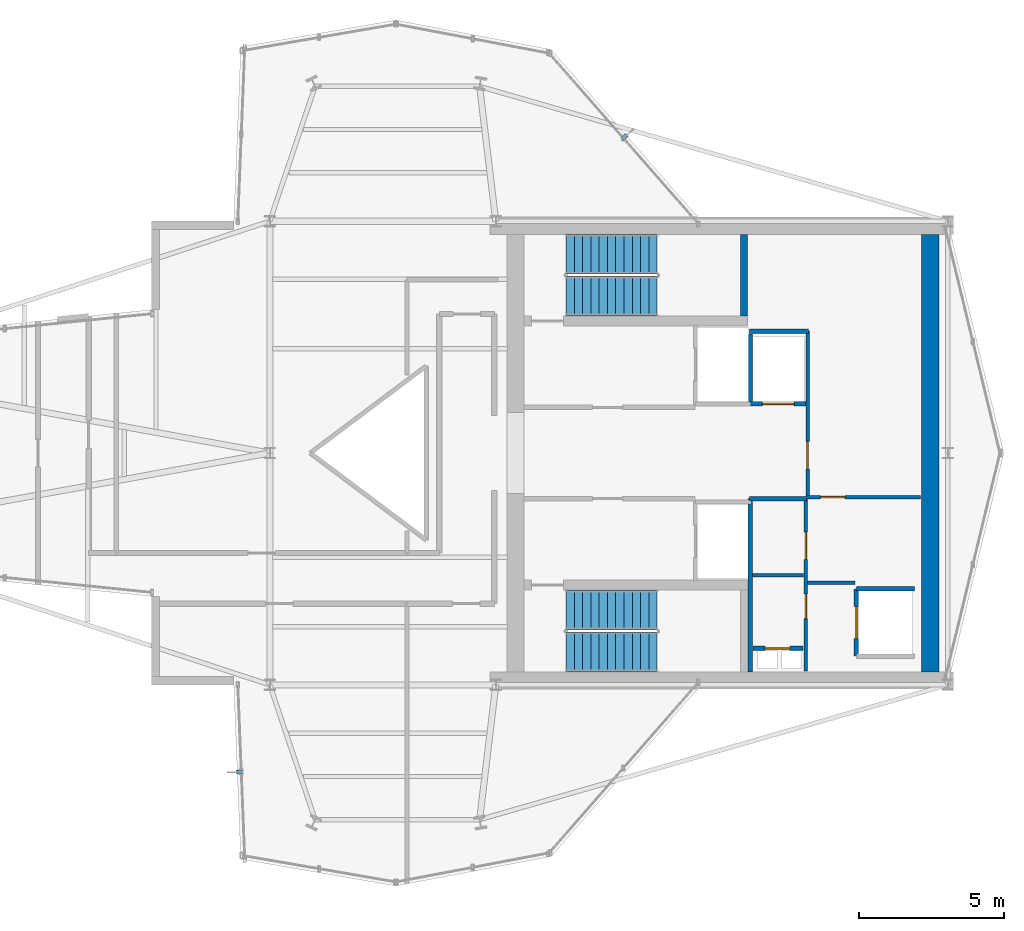
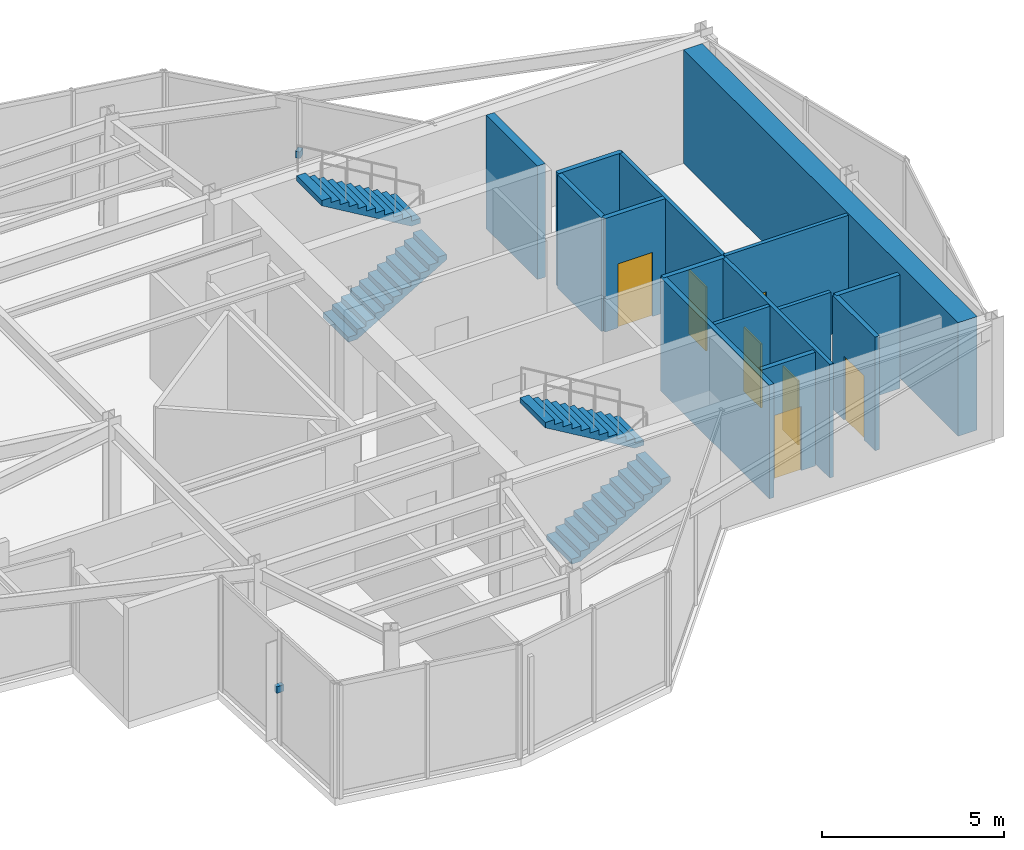
# One storey, part 12 of 13: 15 walls, 7 doors, 4 stair flights, 2 discrete accessories, 7 openings, 2 elements without a shape of their own.
"""IFC4 building model written with IfcOpenShell, lengths in metres."""

from ifc_helpers import new_model, si_unit, direction, frame, frame_2d, origin, origin_2d, place, context, subcontext, project, spatial, polyline, rectangle, outline, extrude, material, layer, layer_set, type_object, element, fill, aggregate, save


model = new_model("IFC4")

# Units and contexts
model_context = context("Model", 3, precision=1e-05, world=origin(), true_north=direction((0.0, 1.0)))
body_context = subcontext(model_context, "Body", "Model", "MODEL_VIEW")
ifc_project = project(units=[si_unit("LENGTHUNIT", "METRE"), si_unit("AREAUNIT", "SQUARE_METRE"), si_unit("VOLUMEUNIT", "CUBIC_METRE"), si_unit("PLANEANGLEUNIT", "RADIAN"), si_unit("MASSUNIT", "GRAM", prefix="KILO")], contexts=[model_context])

# Site, building, storey
site_placement = place(None, origin())
site = spatial("IfcSite", under=ifc_project, at=site_placement, CompositionType="ELEMENT")
building_placement = place(site_placement, origin())
building = spatial("IfcBuilding", under=site, at=building_placement, Name="Veymaron Broadcast Tower", CompositionType="ELEMENT")
storey_placement = place(building_placement, frame((0.0, 0.0, 274.949951171875)))
storey = spatial("IfcBuildingStorey", under=building, at=storey_placement, Name="L64", CompositionType="ELEMENT", Elevation=274.949951171875)

# Wall, opening, door
ifc_material_1 = material(Name="Gypsum fireboard and steel stud framing", Category="steel")
ifc_layer_1 = layer(ifc_material_1, 0.14990234375)
ifc_layer_set_1 = layer_set([ifc_layer_1], Name="Gypsum fireboard and steel stud framing")
wall_type_1 = type_object("IfcWallType", Name="WALL-FIRE-150", PredefinedType="PARTITIONING", material=ifc_layer_set_1)
wall_1_placement = place(storey_placement, frame((47.7900390625, 25.695068359375, 0.0), z_axis=(0.0, 0.0, 1.0), x_axis=(1.0, 0.0, 0.0)))
wall_1 = element("IfcWall", 1, at=wall_1_placement, inside=storey, type_object=wall_type_1, Name="L64 partition IW-L64-SHS-SL-1", PredefinedType="PARTITIONING", context=body_context, shape_type="SweptSolid", body=[
    extrude(rectangle(XDim=1.919921875, YDim=0.14990234375, at=frame_2d((0.9599609375, 0.0))), origin(), (0.0, 0.0, 1.0), 3.81005859375),
])
opening_1_placement = place(wall_1_placement, frame((0.409912109375, 0.0, 0.0)))
opening_1 = element("IfcOpeningElement", 2, at=opening_1_placement, cuts=wall_1, Name="Opening LD", PredefinedType="OPENING", context=body_context, shape_type="SweptSolid", body=[
    extrude(rectangle(XDim=1.10009765625, YDim=2.14990234375, at=frame_2d((0.550048828125, 1.074951171875))), frame((0.0, 0.0849609375, 0.0), z_axis=(0.0, -1.0, 0.0), x_axis=(1.0, 0.0, 0.0)), (0.0, 0.0, 1.0), 0.169921875),
])
ifc_material_2 = material(Name="Brushed stainless steel AISI 304", Category="steel")
door_type_1 = type_object("IfcDoorType", Name="DOOR-LIFT-1100", OperationType="DOUBLE_DOOR_SLIDING", PredefinedType="DOOR", material=ifc_material_2)
door_1_placement = place(opening_1_placement, frame((1.10009765625, 0.0, 0.0), z_axis=(0.0, 0.0, 1.0), x_axis=(-1.0, 0.0, 0.0)))
door_1 = element("IfcDoor", 3, at=door_1_placement, inside=storey, type_object=door_type_1, Name="L64 door LD-L64-SL-1", OperationType="DOUBLE_DOOR_SLIDING", OverallHeight=2.14990234375, OverallWidth=1.10009765625, PredefinedType="DOOR", context=body_context, shape_type="SweptSolid", body=[
    extrude(rectangle(XDim=1.10009765625, YDim=2.14990234375, at=frame_2d((0.550048828125, 1.074951171875))), frame((0.0, 0.02490234375, 0.0), z_axis=(0.0, -1.0, 0.0), x_axis=(1.0, 0.0, 0.0)), (0.0, 0.0, 1.0), 0.050048828125),
])
fill(opening_1, door_1)

# Wall
wall_2_placement = place(storey_placement, frame((47.7900390625, 25.695068359375, 0.0), z_axis=(0.0, 0.0, 1.0), x_axis=(0.0, 1.0, 0.0)))
element("IfcWall", 4, at=wall_2_placement, inside=storey, type_object=wall_type_1, Name="L64 partition IW-L64-SHW-SL-1", PredefinedType="PARTITIONING", context=body_context, shape_type="SweptSolid", body=[
    extrude(rectangle(XDim=2.4150390625, YDim=0.14990234375, at=frame_2d((1.20751953125, 0.0))), origin(), (0.0, 0.0, 1.0), 3.81005859375),
])

# Wall, opening, door
wall_3_placement = place(storey_placement, frame((51.445068359375, 16.989990234375, 0.0), z_axis=(0.0, 0.0, 1.0), x_axis=(0.0, 1.0, 0.0)))
wall_3 = element("IfcWall", 5, at=wall_3_placement, inside=storey, type_object=wall_type_1, Name="L64 partition IW-L64-SHW-PH1", PredefinedType="PARTITIONING", context=body_context, shape_type="SweptSolid", body=[
    extrude(rectangle(XDim=2.320068359375, YDim=0.14990234375, at=frame_2d((1.16015625, 0.0))), origin(), (0.0, 0.0, 1.0), 3.81005859375),
])
opening_2_placement = place(wall_3_placement, frame((0.610107421875, 0.0, 0.0)))
opening_2 = element("IfcOpeningElement", 6, at=opening_2_placement, cuts=wall_3, Name="Opening LD", PredefinedType="OPENING", context=body_context, shape_type="SweptSolid", body=[
    extrude(rectangle(XDim=1.10009765625, YDim=2.14990234375, at=frame_2d((0.550048828125, 1.074951171875))), frame((0.0, 0.0849609375, 0.0), z_axis=(0.0, -1.0, 0.0), x_axis=(1.0, 0.0, 0.0)), (0.0, 0.0, 1.0), 0.169921875),
])
door_2_placement = place(opening_2_placement, frame((1.10009765625, 0.0, 0.0), z_axis=(0.0, 0.0, 1.0), x_axis=(-1.0, 0.0, 0.0)))
door_2 = element("IfcDoor", 7, at=door_2_placement, inside=storey, type_object=door_type_1, Name="L64 door LD-L64-PH1", OperationType="DOUBLE_DOOR_SLIDING", OverallHeight=2.14990234375, OverallWidth=1.10009765625, PredefinedType="DOOR", context=body_context, shape_type="SweptSolid", body=[
    extrude(rectangle(XDim=1.10009765625, YDim=2.14990234375, at=frame_2d((0.550048828125, 1.074951171875))), frame((0.0, 0.02490234375, 0.0), z_axis=(0.0, -1.0, 0.0), x_axis=(1.0, 0.0, 0.0)), (0.0, 0.0, 1.0), 0.050048828125),
])
fill(opening_2, door_2)

# Wall
wall_4_placement = place(storey_placement, frame((51.445068359375, 19.31005859375, 0.0), z_axis=(0.0, 0.0, 1.0), x_axis=(1.0, 0.0, 0.0)))
element("IfcWall", 8, at=wall_4_placement, inside=storey, type_object=wall_type_1, Name="L64 partition IW-L64-SHN-PH1", PredefinedType="PARTITIONING", context=body_context, shape_type="SweptSolid", body=[
    extrude(rectangle(XDim=2.014892578125, YDim=0.14990234375, at=frame_2d((1.00732421875, 0.0))), origin(), (0.0, 0.0, 1.0), 3.81005859375),
])

# Wall, opening, door
wall_5_placement = place(storey_placement, frame((47.8798828125, 17.260009765625, 0.0), z_axis=(0.0, 0.0, 1.0), x_axis=(1.0, 0.0, 0.0)))
wall_5 = element("IfcWall", 9, at=wall_5_placement, inside=storey, type_object=wall_type_1, Name="L64 partition IW-L64-RIS-N", PredefinedType="PARTITIONING", context=body_context, shape_type="SweptSolid", body=[
    extrude(rectangle(XDim=1.72021484375, YDim=0.14990234375, at=frame_2d((0.860107421875, 0.0))), origin(), (0.0, 0.0, 1.0), 3.81005859375),
])
opening_3_placement = place(wall_5_placement, frame((0.419921875, 0.0, 0.0)))
opening_3 = element("IfcOpeningElement", 10, at=opening_3_placement, cuts=wall_5, Name="Opening ID-RS1", PredefinedType="OPENING", context=body_context, shape_type="SweptSolid", body=[
    extrude(rectangle(XDim=0.85009765625, YDim=2.14990234375, at=frame_2d((0.425048828125, 1.074951171875))), frame((0.0, 0.0849609375, 0.0), z_axis=(0.0, -1.0, 0.0), x_axis=(1.0, 0.0, 0.0)), (0.0, 0.0, 1.0), 0.169921875),
])
ifc_material_3 = material(Name="Fire-rated powder-coated steel riser leaf", Category="steel")
door_type_2 = type_object("IfcDoorType", Name="DOOR-RIS-850", OperationType="NOTDEFINED", PredefinedType="TRAPDOOR", material=ifc_material_3)
door_3_placement = place(opening_3_placement, origin())
door_3 = element("IfcDoor", 11, at=door_3_placement, inside=storey, type_object=door_type_2, Name="L64 door DR-L64-RIS", OperationType="SINGLE_SWING_LEFT", OverallHeight=2.14990234375, OverallWidth=0.85009765625, PredefinedType="TRAPDOOR", context=body_context, shape_type="SweptSolid", body=[
    extrude(rectangle(XDim=0.85009765625, YDim=2.14990234375, at=frame_2d((0.425048828125, 1.074951171875))), frame((0.0, 0.02490234375, 0.0), z_axis=(0.0, -1.0, 0.0), x_axis=(1.0, 0.0, 0.0)), (0.0, 0.0, 1.0), 0.050048828125),
])
fill(opening_3, door_3)

# Walls
wall_6_placement = place(storey_placement, frame((47.760009765625, 22.425048828125, 0.0), z_axis=(0.0, 0.0, 1.0), x_axis=(1.0, 0.0, 0.0)))
element("IfcWall", 12, at=wall_6_placement, inside=storey, type_object=wall_type_1, Name="L64 partition IW-L64-SM-N", PredefinedType="PARTITIONING", context=body_context, shape_type="SweptSolid", body=[
    extrude(rectangle(XDim=1.9599609375, YDim=0.14990234375, at=frame_2d((0.97998046875, 0.0))), origin(), (0.0, 0.0, 1.0), 3.81005859375),
])
wall_7_placement = place(storey_placement, frame((47.780029296875, 16.449951171875, 0.0), z_axis=(0.0, 0.0, 1.0), x_axis=(0.0, 1.0, 0.0)))
element("IfcWall", 13, at=wall_7_placement, inside=storey, type_object=wall_type_1, Name="L64 partition IW-L64-SM-W", PredefinedType="PARTITIONING", context=body_context, shape_type="SweptSolid", body=[
    extrude(rectangle(XDim=5.97509765625, YDim=0.14990234375, at=frame_2d((2.987548828125, 0.0))), origin(), (0.0, 0.0, 1.0), 3.81005859375),
])
wall_8_placement = place(storey_placement, frame((47.760009765625, 28.199951171875, 0.0), z_axis=(0.0, 0.0, 1.0), x_axis=(1.0, 0.0, 0.0)))
element("IfcWall", 14, at=wall_8_placement, inside=storey, type_object=wall_type_1, Name="L64 partition IW-L64-F3-SW", PredefinedType="PARTITIONING", context=body_context, shape_type="SweptSolid", body=[
    extrude(rectangle(XDim=2.0400390625, YDim=0.14990234375, at=frame_2d((1.02001953125, 0.0))), origin(), (0.0, 0.0, 1.0), 3.81005859375),
])
ifc_material_4 = material(Name="Acoustic gypsum board and galvanized stud", Category="gypsum")
ifc_layer_2 = layer(ifc_material_4, 0.1201171875)
ifc_layer_set_2 = layer_set([ifc_layer_2], Name="Acoustic gypsum board and galvanized stud")
wall_type_2 = type_object("IfcWallType", Name="WALL-PART-120", PredefinedType="PARTITIONING", material=ifc_layer_set_2)
wall_9_placement = place(storey_placement, frame((47.860107421875, 19.780029296875, 0.0), z_axis=(0.0, 0.0, 1.0), x_axis=(1.0, 0.0, 0.0)))
element("IfcWall", 15, at=wall_9_placement, inside=storey, type_object=wall_type_2, Name="L64 partition IW-L64-SM-DIV", PredefinedType="PARTITIONING", context=body_context, shape_type="SweptSolid", body=[
    extrude(rectangle(XDim=1.760009765625, YDim=0.1201171875, at=frame_2d((0.8798828125, 0.0))), origin(), (0.0, 0.0, 1.0), 3.81005859375),
])

# Wall, openings, doors
wall_10_placement = place(storey_placement, frame((49.699951171875, 16.47998046875, 0.0), z_axis=(0.0, 0.0, 1.0), x_axis=(0.0, 1.0, 0.0)))
wall_10 = element("IfcWall", 16, at=wall_10_placement, inside=storey, type_object=wall_type_2, Name="L64 partition IW-L64-SM-E", PredefinedType="PARTITIONING", context=body_context, shape_type="SweptSolid", body=[
    extrude(rectangle(XDim=5.945068359375, YDim=0.1201171875, at=frame_2d((2.97265625, 0.0))), origin(), (0.0, 0.0, 1.0), 3.81005859375),
])
opening_4_placement = place(wall_10_placement, frame((1.800048828125, 0.0, 0.0)))
opening_4 = element("IfcOpeningElement", 17, at=opening_4_placement, cuts=wall_10, Name="Opening ID-WC1", PredefinedType="OPENING", context=body_context, shape_type="SweptSolid", body=[
    extrude(rectangle(XDim=0.85009765625, YDim=2.14990234375, at=frame_2d((0.425048828125, 1.074951171875))), frame((0.0, 0.070068359375, 0.0), z_axis=(0.0, -1.0, 0.0), x_axis=(1.0, 0.0, 0.0)), (0.0, 0.0, 1.0), 0.14013671875),
])
opening_5_placement = place(wall_10_placement, frame((3.85009765625, 0.0, 0.0)))
opening_5 = element("IfcOpeningElement", 18, at=opening_5_placement, cuts=wall_10, Name="Opening ID-RM1", PredefinedType="OPENING", context=body_context, shape_type="SweptSolid", body=[
    extrude(rectangle(XDim=0.949951171875, YDim=2.14990234375, at=frame_2d((0.47509765625, 1.074951171875))), frame((0.0, 0.070068359375, 0.0), z_axis=(0.0, -1.0, 0.0), x_axis=(1.0, 0.0, 0.0)), (0.0, 0.0, 1.0), 0.14013671875),
])
ifc_material_5 = material(Name="Moisture-resistant high-pressure laminate timber", Category="wood")
door_type_3 = type_object("IfcDoorType", Name="DOOR-INT-850", OperationType="NOTDEFINED", PredefinedType="DOOR", material=ifc_material_5)
door_4_placement = place(opening_4_placement, frame((0.85009765625, 0.0, 0.0), z_axis=(0.0, 0.0, 1.0), x_axis=(-1.0, 0.0, 0.0)))
door_4 = element("IfcDoor", 19, at=door_4_placement, inside=storey, type_object=door_type_3, Name="L64 door DR-L64-SWC", OperationType="SINGLE_SWING_LEFT", OverallHeight=2.14990234375, OverallWidth=0.85009765625, PredefinedType="DOOR", context=body_context, shape_type="SweptSolid", body=[
    extrude(rectangle(XDim=0.85009765625, YDim=2.14990234375, at=frame_2d((0.425048828125, 1.074951171875))), frame((0.0, 0.02490234375, 0.0), z_axis=(0.0, -1.0, 0.0), x_axis=(1.0, 0.0, 0.0)), (0.0, 0.0, 1.0), 0.050048828125),
])
fill(opening_4, door_4)
ifc_material_6 = material(Name="Acoustic solid-core European oak veneer timber", Category="wood")
door_type_4 = type_object("IfcDoorType", Name="DOOR-INT-950", OperationType="NOTDEFINED", PredefinedType="DOOR", material=ifc_material_6)
door_5_placement = place(opening_5_placement, frame((0.949951171875, 0.0, 0.0), z_axis=(0.0, 0.0, 1.0), x_axis=(-1.0, 0.0, 0.0)))
door_5 = element("IfcDoor", 20, at=door_5_placement, inside=storey, type_object=door_type_4, Name="L64 door DR-L64-AWC", OperationType="SINGLE_SWING_RIGHT", OverallHeight=2.14990234375, OverallWidth=0.949951171875, PredefinedType="DOOR", context=body_context, shape_type="SweptSolid", body=[
    extrude(rectangle(XDim=0.949951171875, YDim=2.14990234375, at=frame_2d((0.47509765625, 1.074951171875))), frame((0.0, 0.02490234375, 0.0), z_axis=(0.0, -1.0, 0.0), x_axis=(1.0, 0.0, 0.0)), (0.0, 0.0, 1.0), 0.050048828125),
])
fill(opening_5, door_5)

# Wall, opening, door
wall_11_placement = place(storey_placement, frame((49.760009765625, 22.47998046875, 0.0), z_axis=(0.0, 0.0, 1.0), x_axis=(1.0, 0.0, 0.0)))
wall_11 = element("IfcWall", 21, at=wall_11_placement, inside=storey, type_object=wall_type_2, Name="L64 partition IW-L64-F3S-N", PredefinedType="PARTITIONING", context=body_context, shape_type="SweptSolid", body=[
    extrude(rectangle(XDim=3.89990234375, YDim=0.1201171875, at=frame_2d((1.949951171875, 0.0))), origin(), (0.0, 0.0, 1.0), 3.81005859375),
])
opening_6_placement = place(wall_11_placement, frame((0.449951171875, 0.0, 0.0)))
opening_6 = element("IfcOpeningElement", 22, at=opening_6_placement, cuts=wall_11, Name="Opening ID-WC1", PredefinedType="OPENING", context=body_context, shape_type="SweptSolid", body=[
    extrude(rectangle(XDim=0.85009765625, YDim=2.14990234375, at=frame_2d((0.425048828125, 1.074951171875))), frame((0.0, 0.070068359375, 0.0), z_axis=(0.0, -1.0, 0.0), x_axis=(1.0, 0.0, 0.0)), (0.0, 0.0, 1.0), 0.14013671875),
])
door_6_placement = place(opening_6_placement, frame((0.85009765625, 0.0, 0.0), z_axis=(0.0, 0.0, 1.0), x_axis=(-1.0, 0.0, 0.0)))
door_6 = element("IfcDoor", 23, at=door_6_placement, inside=storey, type_object=door_type_3, Name="L64 door DR-L64-F3S", OperationType="SINGLE_SWING_LEFT", OverallHeight=2.14990234375, OverallWidth=0.85009765625, PredefinedType="DOOR", context=body_context, shape_type="SweptSolid", body=[
    extrude(rectangle(XDim=0.85009765625, YDim=2.14990234375, at=frame_2d((0.425048828125, 1.074951171875))), frame((0.0, 0.02490234375, 0.0), z_axis=(0.0, -1.0, 0.0), x_axis=(1.0, 0.0, 0.0)), (0.0, 0.0, 1.0), 0.050048828125),
])
fill(opening_6, door_6)

# Wall
wall_12_placement = place(storey_placement, frame((49.760009765625, 19.52001953125, 0.0), z_axis=(0.0, 0.0, 1.0), x_axis=(1.0, 0.0, 0.0)))
element("IfcWall", 24, at=wall_12_placement, inside=storey, type_object=wall_type_2, Name="L64 partition IW-L64-F3S-S", PredefinedType="PARTITIONING", context=body_context, shape_type="SweptSolid", body=[
    extrude(rectangle(XDim=1.639892578125, YDim=0.1201171875, at=frame_2d((0.81982421875, 0.0))), origin(), (0.0, 0.0, 1.0), 3.81005859375),
])

# Wall, opening, door
wall_13_placement = place(storey_placement, frame((49.760009765625, 22.5, 0.0), z_axis=(0.0, 0.0, 1.0), x_axis=(0.0, 1.0, 0.0)))
wall_13 = element("IfcWall", 25, at=wall_13_placement, inside=storey, type_object=wall_type_2, Name="L64 partition IW-L64-F3-W", PredefinedType="PARTITIONING", context=body_context, shape_type="SweptSolid", body=[
    extrude(rectangle(XDim=5.719970703125, YDim=0.1201171875, at=frame_2d((2.85986328125, 0.0))), origin(), (0.0, 0.0, 1.0), 3.81005859375),
])
opening_7_placement = place(wall_13_placement, frame((0.949951171875, 0.0, 0.0)))
opening_7 = element("IfcOpeningElement", 26, at=opening_7_placement, cuts=wall_13, Name="Opening ID-RM1", PredefinedType="OPENING", context=body_context, shape_type="SweptSolid", body=[
    extrude(rectangle(XDim=0.949951171875, YDim=2.14990234375, at=frame_2d((0.47509765625, 1.074951171875))), frame((0.0, 0.070068359375, 0.0), z_axis=(0.0, -1.0, 0.0), x_axis=(1.0, 0.0, 0.0)), (0.0, 0.0, 1.0), 0.14013671875),
])
door_7_placement = place(opening_7_placement, origin())
door_7 = element("IfcDoor", 27, at=door_7_placement, inside=storey, type_object=door_type_4, Name="L64 door DR-L64-F3A", OperationType="SINGLE_SWING_LEFT", OverallHeight=2.14990234375, OverallWidth=0.949951171875, PredefinedType="DOOR", context=body_context, shape_type="SweptSolid", body=[
    extrude(rectangle(XDim=0.949951171875, YDim=2.14990234375, at=frame_2d((0.47509765625, 1.074951171875))), frame((0.0, 0.02490234375, 0.0), z_axis=(0.0, -1.0, 0.0), x_axis=(1.0, 0.0, 0.0)), (0.0, 0.0, 1.0), 0.050048828125),
])
fill(opening_7, door_7)

# Walls
ifc_material_7 = material(Name="Concrete C50/60", Category="concrete")
ifc_layer_3 = layer(ifc_material_7, 0.25)
ifc_layer_set_3 = layer_set([ifc_layer_3], Name="Concrete C50/60")
wall_type_3 = type_object("IfcWallType", Name="WALL-SHEAR-250", PredefinedType="SHEAR", material=ifc_layer_set_3)
wall_14_placement = place(storey_placement, frame((47.56494140625, 28.72998046875, 0.0), z_axis=(0.0, 0.0, 1.0), x_axis=(0.0, 1.0, 0.0)))
element("IfcWall", 28, at=wall_14_placement, inside=storey, type_object=wall_type_3, Name="L64 Core Wall north stair east shear", PredefinedType="SHEAR", context=body_context, shape_type="SweptSolid", body=[
    extrude(rectangle(XDim=2.820068359375, YDim=0.25, at=frame_2d((1.41015625, 0.0))), origin(), (0.0, 0.0, 1.0), 3.81005859375),
])
ifc_layer_4 = layer(ifc_material_7, 0.60009765625)
ifc_layer_set_4 = layer_set([ifc_layer_4], Name="Concrete C50/60")
wall_type_4 = type_object("IfcWallType", Name="WALL-SHEAR-600", PredefinedType="SHEAR", material=ifc_layer_set_4)
wall_15_placement = place(storey_placement, frame((54.0, 16.449951171875, 0.0), z_axis=(0.0, 0.0, 1.0), x_axis=(0.0, 1.0, 0.0)))
element("IfcWall", 29, at=wall_15_placement, inside=storey, type_object=wall_type_4, Name="L64 Core Wall east shear", PredefinedType="SHEAR", context=body_context, shape_type="SweptSolid", body=[
    extrude(rectangle(XDim=15.10009765625, YDim=0.60009765625, at=frame_2d((7.550048828125, 0.0))), origin(), (0.0, 0.0, 1.0), 3.81005859375),
])

# Stair, stair flights
stair_type_1 = type_object("IfcStairType", Name="STAIR-CORE-1", PredefinedType="HALF_TURN_STAIR", material=ifc_material_7)
stair_1_placement = place(storey_placement, origin())
stair_1 = element("IfcStair", 30, at=stair_1_placement, inside=storey, type_object=stair_type_1, Name="L64 North protected dog-leg exit stair ST1", PredefinedType="HALF_TURN_STAIR")
ifc_material_8 = material(Name="Precast concrete C50/60", Category="concrete")
stair_flight_type = type_object("IfcStairFlightType", Name="FLT-CORE-RC", PredefinedType="STRAIGHT", material=ifc_material_8)
stair_flight_1_placement = place(storey_placement, frame((41.429931640625, 29.419921875, 0.0), z_axis=(0.0, 0.0, 1.0), x_axis=(1.0, 0.0, 0.0)))
stair_flight_1 = element("IfcStairFlight", 31, at=stair_flight_1_placement, type_object=stair_flight_type, Name="ST1 flight 1", NumberOfRisers=12, NumberOfTreads=11, PredefinedType="STRAIGHT", RiserHeight=0.16875, TreadLength=0.285, context=body_context, shape_type="SweptSolid", body=[
    extrude(outline(polyline([(0.0, 0.0), (0.0, 0.168701171875), (0.284912109375, 0.168701171875), (0.284912109375, 0.33740234375), (0.570068359375, 0.33740234375), (0.570068359375, 0.50634765625), (0.85498046875, 0.50634765625), (0.85498046875, 0.675048828125), (1.139892578125, 0.675048828125), (1.139892578125, 0.84375), (1.425048828125, 0.84375), (1.425048828125, 1.012451171875), (1.7099609375, 1.012451171875), (1.7099609375, 1.18115234375), (1.9951171875, 1.18115234375), (1.9951171875, 1.35009765625), (2.280029296875, 1.35009765625), (2.280029296875, 1.518798828125), (2.56494140625, 1.518798828125), (2.56494140625, 1.6875), (2.85009765625, 1.6875), (2.85009765625, 1.856201171875), (3.135009765625, 1.856201171875), (3.135009765625, 2.02490234375), (3.135009765625, 1.68212890625), (0.294189453125, 0.0), (0.0, 0.0)])), frame((0.0, 0.68994140625, 0.0), z_axis=(0.0, -1.0, 0.0), x_axis=(1.0, 0.0, 0.0)), (0.0, 0.0, 1.0), 1.3798828125),
])
stair_flight_2_placement = place(storey_placement, frame((44.56494140625, 30.860107421875, 2.025146484375), z_axis=(0.0, 0.0, 1.0), x_axis=(-1.0, 0.0, 0.0)))
stair_flight_2 = element("IfcStairFlight", 32, at=stair_flight_2_placement, type_object=stair_flight_type, Name="ST1 flight 2", NumberOfRisers=12, NumberOfTreads=11, PredefinedType="STRAIGHT", RiserHeight=0.16875, TreadLength=0.285, context=body_context, shape_type="SweptSolid", body=[
    extrude(outline(polyline([(0.0, 0.0), (0.0, 0.168701171875), (0.284912109375, 0.168701171875), (0.284912109375, 0.33740234375), (0.570068359375, 0.33740234375), (0.570068359375, 0.50634765625), (0.85498046875, 0.50634765625), (0.85498046875, 0.675048828125), (1.139892578125, 0.675048828125), (1.139892578125, 0.84375), (1.425048828125, 0.84375), (1.425048828125, 1.012451171875), (1.7099609375, 1.012451171875), (1.7099609375, 1.18115234375), (1.9951171875, 1.18115234375), (1.9951171875, 1.35009765625), (2.280029296875, 1.35009765625), (2.280029296875, 1.518798828125), (2.56494140625, 1.518798828125), (2.56494140625, 1.6875), (2.85009765625, 1.6875), (2.85009765625, 1.856201171875), (3.135009765625, 1.856201171875), (3.135009765625, 2.02490234375), (3.135009765625, 1.68212890625), (0.294189453125, 0.0), (0.0, 0.0)])), frame((0.0, 0.68994140625, 0.0), z_axis=(0.0, -1.0, 0.0), x_axis=(1.0, 0.0, 0.0)), (0.0, 0.0, 1.0), 1.3798828125),
])
aggregate(stair_1, [stair_flight_1, stair_flight_2])

stair_type_2 = type_object("IfcStairType", Name="STAIR-CORE-2", PredefinedType="HALF_TURN_STAIR", material=ifc_material_7)
stair_2_placement = place(storey_placement, origin())
stair_2 = element("IfcStair", 33, at=stair_2_placement, inside=storey, type_object=stair_type_2, Name="L64 South protected dog-leg exit stair ST2", PredefinedType="HALF_TURN_STAIR")
stair_flight_3_placement = place(storey_placement, frame((41.429931640625, 17.139892578125, 0.0), z_axis=(0.0, 0.0, 1.0), x_axis=(1.0, 0.0, 0.0)))
stair_flight_3 = element("IfcStairFlight", 34, at=stair_flight_3_placement, type_object=stair_flight_type, Name="ST2 flight 1", NumberOfRisers=12, NumberOfTreads=11, PredefinedType="STRAIGHT", RiserHeight=0.16875, TreadLength=0.285, context=body_context, shape_type="SweptSolid", body=[
    extrude(outline(polyline([(0.0, 0.0), (0.0, 0.168701171875), (0.284912109375, 0.168701171875), (0.284912109375, 0.33740234375), (0.570068359375, 0.33740234375), (0.570068359375, 0.50634765625), (0.85498046875, 0.50634765625), (0.85498046875, 0.675048828125), (1.139892578125, 0.675048828125), (1.139892578125, 0.84375), (1.425048828125, 0.84375), (1.425048828125, 1.012451171875), (1.7099609375, 1.012451171875), (1.7099609375, 1.18115234375), (1.9951171875, 1.18115234375), (1.9951171875, 1.35009765625), (2.280029296875, 1.35009765625), (2.280029296875, 1.518798828125), (2.56494140625, 1.518798828125), (2.56494140625, 1.6875), (2.85009765625, 1.6875), (2.85009765625, 1.856201171875), (3.135009765625, 1.856201171875), (3.135009765625, 2.02490234375), (3.135009765625, 1.68212890625), (0.294189453125, 0.0), (0.0, 0.0)])), frame((0.0, 0.68994140625, 0.0), z_axis=(0.0, -1.0, 0.0), x_axis=(1.0, 0.0, 0.0)), (0.0, 0.0, 1.0), 1.3798828125),
])
stair_flight_4_placement = place(storey_placement, frame((44.56494140625, 18.580078125, 2.025146484375), z_axis=(0.0, 0.0, 1.0), x_axis=(-1.0, 0.0, 0.0)))
stair_flight_4 = element("IfcStairFlight", 35, at=stair_flight_4_placement, type_object=stair_flight_type, Name="ST2 flight 2", NumberOfRisers=12, NumberOfTreads=11, PredefinedType="STRAIGHT", RiserHeight=0.16875, TreadLength=0.285, context=body_context, shape_type="SweptSolid", body=[
    extrude(outline(polyline([(0.0, 0.0), (0.0, 0.168701171875), (0.284912109375, 0.168701171875), (0.284912109375, 0.33740234375), (0.570068359375, 0.33740234375), (0.570068359375, 0.50634765625), (0.85498046875, 0.50634765625), (0.85498046875, 0.675048828125), (1.139892578125, 0.675048828125), (1.139892578125, 0.84375), (1.425048828125, 0.84375), (1.425048828125, 1.012451171875), (1.7099609375, 1.012451171875), (1.7099609375, 1.18115234375), (1.9951171875, 1.18115234375), (1.9951171875, 1.35009765625), (2.280029296875, 1.35009765625), (2.280029296875, 1.518798828125), (2.56494140625, 1.518798828125), (2.56494140625, 1.6875), (2.85009765625, 1.6875), (2.85009765625, 1.856201171875), (3.135009765625, 1.856201171875), (3.135009765625, 2.02490234375), (3.135009765625, 1.68212890625), (0.294189453125, 0.0), (0.0, 0.0)])), frame((0.0, 0.68994140625, 0.0), z_axis=(0.0, -1.0, 0.0), x_axis=(1.0, 0.0, 0.0)), (0.0, 0.0, 1.0), 1.3798828125),
])
aggregate(stair_2, [stair_flight_3, stair_flight_4])

# Discrete accessories
ifc_material_9 = material(Name="Austenitic stainless steel AISI 316L", Category="steel")
ifc_layer_5 = layer(ifc_material_9, 0.1201171875)
ifc_layer_set_5 = layer_set([ifc_layer_5], Name="Austenitic stainless steel AISI 316L")
discrete_accessory_type = type_object("IfcDiscreteAccessoryType", Name="ACC-BRKT-SS1", PredefinedType="BRACKET", material=ifc_layer_set_5)
for number, where, z_axis, x_axis, name in (
    (36, (43.4453125, 34.91162109375, 1.794921875), (0.0, 0.0, 1.0), (0.752529860433, 0.658558128912, 0.0), "CW-L64-E5-1 fin bracket 1"),
    (37, (30.154296875, 12.99267578125, 1.794921875), (0.0, 0.0, 1.0), (-0.999197893469, -0.04004459622, 0.0), "CW-L64-E17-1 fin bracket 1"),
):
    element("IfcDiscreteAccessory", number, at=place(storey_placement, frame(where, z_axis=z_axis, x_axis=x_axis)), inside=storey, type_object=discrete_accessory_type, Name=name, PredefinedType="BRACKET", context=body_context, shape_type="SweptSolid", body=[
        extrude(rectangle(XDim=0.219970703125, YDim=0.139892578125, at=origin_2d()), origin(), (0.0, 0.0, 1.0), 0.219970703125),
    ])

save(model, "model.ifc")
